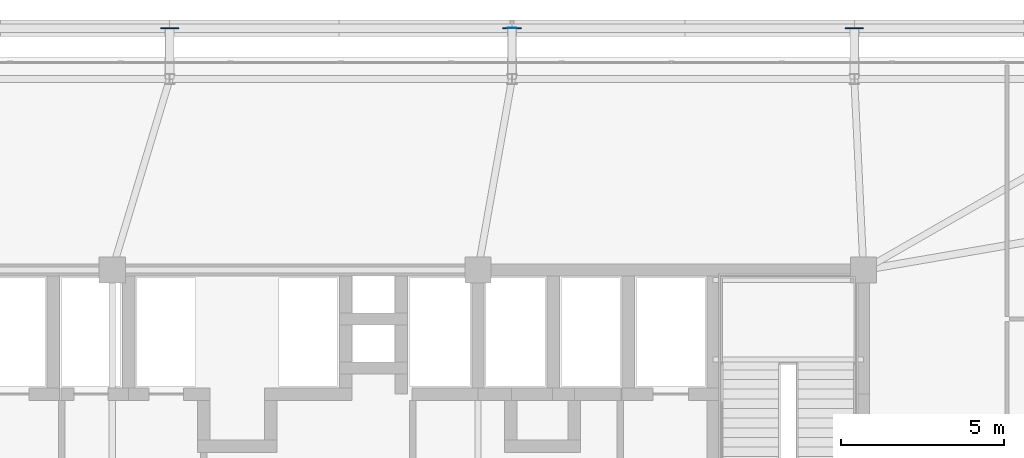
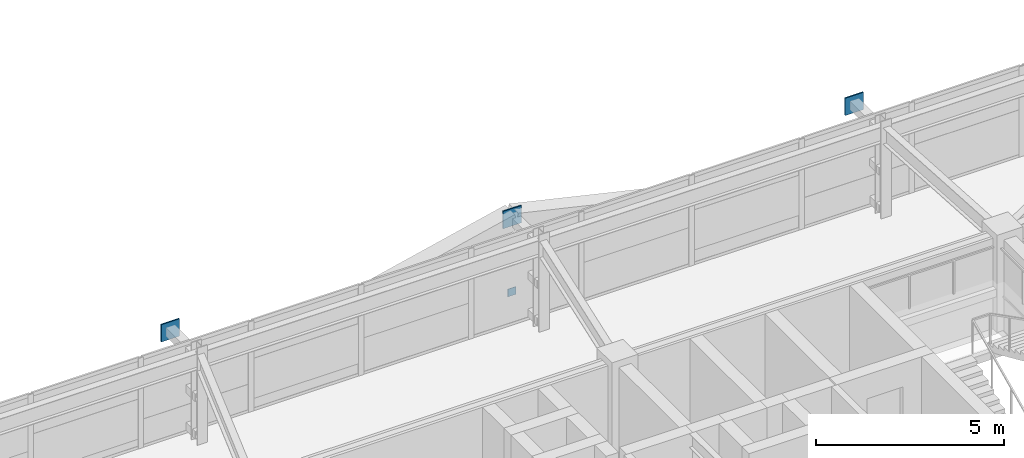
# One storey, part 50 of 58: 4 plates.
"""IFC4 building model written with IfcOpenShell, lengths in metres."""

from ifc_helpers import new_model, si_unit, direction, frame, origin, origin_2d, place, context, subcontext, project, spatial, rectangle, extrude, source, transform, mapped, material, layer, layer_set, type_object, element, save


model = new_model("IFC4")

# Units and contexts
model_context = context("Model", 3, precision=1e-05, world=origin(), true_north=direction((0.0, 1.0)))
body_context = subcontext(model_context, "Body", "Model", "MODEL_VIEW")
ifc_project = project(units=[si_unit("LENGTHUNIT", "METRE"), si_unit("AREAUNIT", "SQUARE_METRE"), si_unit("VOLUMEUNIT", "CUBIC_METRE"), si_unit("PLANEANGLEUNIT", "RADIAN"), si_unit("MASSUNIT", "GRAM", prefix="KILO")], contexts=[model_context])

# Site, building, storey
site_placement = place(None, origin())
site = spatial("IfcSite", under=ifc_project, at=site_placement, CompositionType="ELEMENT")
building_placement = place(site_placement, origin())
building = spatial("IfcBuilding", under=site, at=building_placement, Name="Taldren Reach Tower", CompositionType="ELEMENT")
storey_placement = place(building_placement, frame((0.0, 0.0, 35.699951171875)))
storey = spatial("IfcBuildingStorey", under=building, at=storey_placement, Name="L10", CompositionType="ELEMENT", Elevation=35.699951171875)

# Plates
ifc_material_1 = material(Name="Steel Gr 450 (C450L0)", Category="steel")
ifc_layer_1 = layer(ifc_material_1, 0.0400390625)
ifc_layer_set_1 = layer_set([ifc_layer_1], Name="Steel Gr 450 (C450L0)")
plate_type_1 = type_object("IfcPlateType", Name="PL-GUSSET-40", PredefinedType="SHEET", material=ifc_layer_set_1)
shared_shape_1 = source(origin(), body_context, "Body", "SweptSolid", [
    extrude(rectangle(XDim=0.56005859375, YDim=0.0400390625, at=origin_2d()), origin(), (0.0, 0.0, 1.0), 0.56005859375),
])
for number, where, z_axis, x_axis, name in (
    (1, (29.760009765625, 39.39990234375, 2.3701171875), (0.0, 0.0, 1.0), (1.0, 0.0, 0.0), "Exoskeleton star-node gusset plate B1-N3 L10"),
    (2, (40.239990234375, 39.39990234375, 2.3701171875), (0.0, 0.0, 1.0), (1.0, 0.0, 0.0), "Exoskeleton star-node gusset plate B1-N4 L10"),
    (3, (50.719970703125, 39.39990234375, 2.3701171875), (0.0, 0.0, 1.0), (1.0, 0.0, 0.0), "Exoskeleton star-node gusset plate B1-N5 L10"),
):
    element("IfcPlate", number, at=place(storey_placement, frame(where, z_axis=z_axis, x_axis=x_axis)), inside=storey, type_object=plate_type_1, Name=name, PredefinedType="SHEET", context=body_context, shape_type="MappedRepresentation", body=[
        mapped(shared_shape_1, transform((0.0, 0.0, 0.0), scale=1.0)),
    ])
ifc_material_2 = material(Name="Steel Gr 350 (C350L0)", Category="steel")
ifc_layer_2 = layer(ifc_material_2, 0.011962890625)
ifc_layer_set_2 = layer_set([ifc_layer_2], Name="Steel Gr 350 (C350L0)")
plate_type_2 = type_object("IfcPlateType", Name="PL-CAP-250", PredefinedType="SHEET", material=ifc_layer_set_2)
shared_shape_2 = source(origin(), body_context, "Body", "SweptSolid", [
    extrude(rectangle(XDim=0.25, YDim=0.011962890625, at=origin_2d()), origin(), (0.0, 0.0, 1.0), 0.25),
])
plate_placement = place(storey_placement, frame((40.239990234375, 39.406005859375, 0.094970703125), z_axis=(0.0, 0.0, 1.0), x_axis=(1.0, 0.0, 0.0)))
element("IfcPlate", 4, at=plate_placement, inside=storey, type_object=plate_type_2, Name="Tie strut end cap plate B1-N4 L10", PredefinedType="SHEET", context=body_context, shape_type="MappedRepresentation", body=[
    mapped(shared_shape_2, transform((0.0, 0.0, 0.0), scale=1.0)),
])

save(model, "model.ifc")
